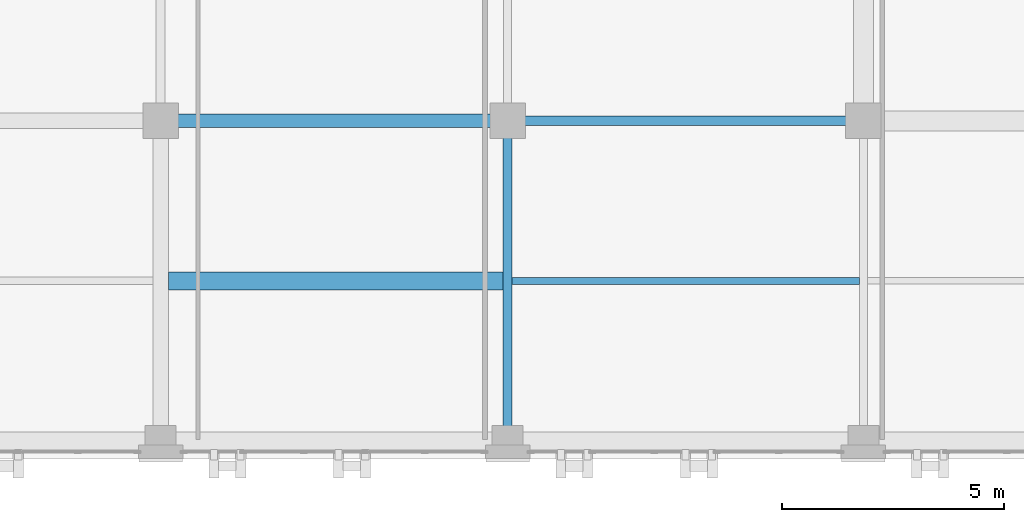
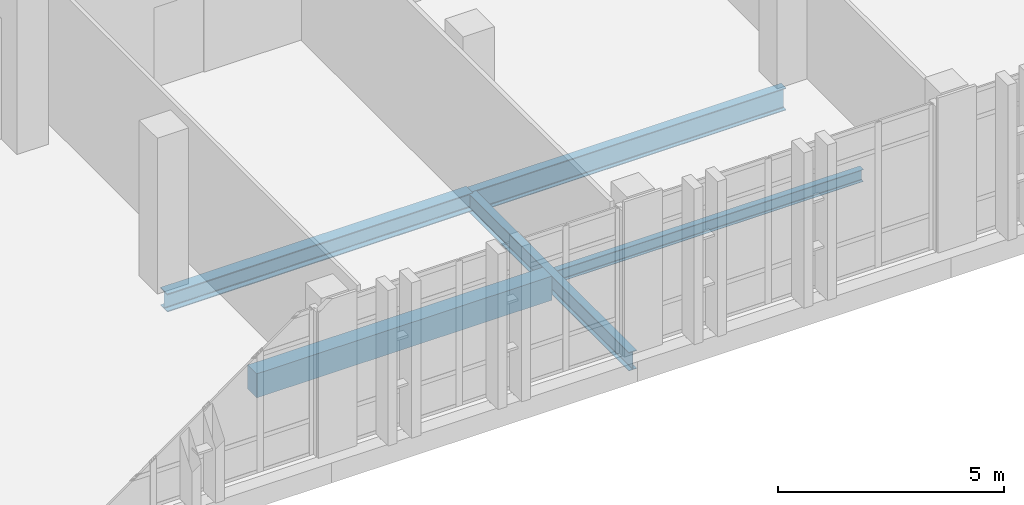
# One storey, part 119 of 193: 5 beams.
"""IFC4 building model written with IfcOpenShell, lengths in metres."""

from ifc_helpers import new_model, si_unit, direction, frame, origin, origin_2d, place, context, subcontext, project, spatial, rectangle, i_section, extrude, material, material_profile, profile_set, type_object, element, save


model = new_model("IFC4")

# Units and contexts
model_context = context("Model", 3, precision=1e-05, world=origin(), true_north=direction((0.0, 1.0)))
body_context = subcontext(model_context, "Body", "Model", "MODEL_VIEW")
ifc_project = project(units=[si_unit("LENGTHUNIT", "METRE"), si_unit("AREAUNIT", "SQUARE_METRE"), si_unit("VOLUMEUNIT", "CUBIC_METRE"), si_unit("PLANEANGLEUNIT", "RADIAN"), si_unit("MASSUNIT", "GRAM", prefix="KILO")], contexts=[model_context])

# Site, building, storey
site_placement = place(None, origin())
site = spatial("IfcSite", under=ifc_project, at=site_placement, CompositionType="ELEMENT")
building_placement = place(site_placement, origin())
building = spatial("IfcBuilding", under=site, at=building_placement, Name="Qalavern Law Courts", CompositionType="ELEMENT")
storey_placement = place(building_placement, frame((0.0, 0.0, 10.199951171875)))
storey = spatial("IfcBuildingStorey", under=building, at=storey_placement, Name="L02", CompositionType="ELEMENT", Elevation=10.199951171875)

# Beams
ifc_material_1 = material(Name="Steel S355", Category="steel")
ifc_material_profile_1 = material_profile(ifc_material_1, i_section(OverallWidth=0.300048828125, OverallDepth=0.489990234375, WebThickness=0.011962890625, FlangeThickness=0.02294921875, FilletRadius=0.027099609375, at=origin_2d()), Name="HEA 500")
ifc_profile_set_1 = profile_set([ifc_material_profile_1], Name="Steel S355")
beam_type_1 = type_object("IfcBeamType", Name="STR-BM-HEA500", PredefinedType="BEAM", material=ifc_profile_set_1)
beam_1_placement = place(storey_placement, frame((142.0, 8.60009765625, -0.534912109375), z_axis=(1.0, 0.0, 0.0), x_axis=(0.0, 1.0, 0.0)))
element("IfcBeam", 1, at=beam_1_placement, inside=storey, type_object=beam_type_1, Name="V6 X-beam 2-6 L02", PredefinedType="BEAM", context=body_context, shape_type="SweptSolid", body=[
    extrude(i_section(OverallWidth=0.300048828125, OverallDepth=0.489990234375, WebThickness=0.011962890625, FlangeThickness=0.02294921875, FilletRadius=0.027099609375, at=origin_2d()), origin(), (0.0, 0.0, 1.0), 7.800048828125),
])
ifc_material_profile_2 = material_profile(ifc_material_1, i_section(OverallWidth=0.199951171875, OverallDepth=0.5, WebThickness=0.01025390625, FlangeThickness=0.01611328125, FilletRadius=0.02099609375, at=origin_2d()), Name="IPE 500")
ifc_profile_set_2 = profile_set([ifc_material_profile_2], Name="Steel S355")
beam_type_2 = type_object("IfcBeamType", Name="STR-BM-IPE500", PredefinedType="BEAM", material=ifc_profile_set_2)
beam_2_placement = place(storey_placement, frame((149.800048828125, 1.39990234375, -0.5400390625), z_axis=(0.0, 1.0, 0.0), x_axis=(-1.0, 0.0, 0.0)))
element("IfcBeam", 2, at=beam_2_placement, inside=storey, type_object=beam_type_2, Name="V6 Y-beam 7-1 L02", PredefinedType="BEAM", context=body_context, shape_type="SweptSolid", body=[
    extrude(i_section(OverallWidth=0.199951171875, OverallDepth=0.5, WebThickness=0.01025390625, FlangeThickness=0.01611328125, FilletRadius=0.02099609375, at=origin_2d()), origin(), (0.0, 0.0, 1.0), 7.2001953125),
])
ifc_material_profile_3 = material_profile(ifc_material_1, i_section(OverallWidth=0.219970703125, OverallDepth=0.60009765625, WebThickness=0.011962890625, FlangeThickness=0.01904296875, FilletRadius=0.02392578125, at=origin_2d()), Name="IPE 600")
ifc_profile_set_3 = profile_set([ifc_material_profile_3], Name="Steel S355")
beam_type_3 = type_object("IfcBeamType", Name="STR-BM-IPE600", PredefinedType="BEAM", material=ifc_profile_set_3)
beam_3_placement = place(storey_placement, frame((149.800048828125, 8.60009765625, -0.58984375), z_axis=(1.0, 0.0, 0.0), x_axis=(0.0, 1.0, 0.0)))
element("IfcBeam", 3, at=beam_3_placement, inside=storey, type_object=beam_type_3, Name="V6 X-beam 2-7 L02", PredefinedType="BEAM", context=body_context, shape_type="SweptSolid", body=[
    extrude(i_section(OverallWidth=0.219970703125, OverallDepth=0.60009765625, WebThickness=0.011962890625, FlangeThickness=0.01904296875, FilletRadius=0.02392578125, at=origin_2d()), origin(), (0.0, 0.0, 1.0), 8.0),
])
ifc_material_profile_4 = material_profile(ifc_material_1, i_section(OverallWidth=0.159912109375, OverallDepth=0.330078125, WebThickness=0.007568359375, FlangeThickness=0.011474609375, FilletRadius=0.01806640625, at=origin_2d()), Name="IPE 330")
ifc_profile_set_4 = profile_set([ifc_material_profile_4], Name="Steel S355")
beam_type_4 = type_object("IfcBeamType", Name="STR-JST-IPE330", PredefinedType="JOIST", material=ifc_profile_set_4)
beam_4_placement = place(storey_placement, frame((149.89794921875, 5.0, -0.454833984375), z_axis=(1.0, 0.0, 0.0), x_axis=(0.0, 1.0, 0.0)))
element("IfcBeam", 4, at=beam_4_placement, inside=storey, type_object=beam_type_4, Name="V6 secondary joist 7.1.1 L02", PredefinedType="JOIST", context=body_context, shape_type="SweptSolid", body=[
    extrude(i_section(OverallWidth=0.159912109375, OverallDepth=0.330078125, WebThickness=0.007568359375, FlangeThickness=0.011474609375, FilletRadius=0.01806640625, at=origin_2d()), origin(), (0.0, 0.0, 1.0), 7.81396484375),
])
ifc_material_2 = material(Name="Concrete C35/45", Category="concrete")
ifc_material_profile_5 = material_profile(ifc_material_2, rectangle(XDim=0.39990234375, YDim=0.64990234375, at=origin_2d()), Name="RC 400x650")
ifc_profile_set_5 = profile_set([ifc_material_profile_5], Name="Concrete C35/45")
beam_type_5 = type_object("IfcBeamType", Name="STR-JST-RC400x650", PredefinedType="JOIST", material=ifc_profile_set_5)
beam_5_placement = place(storey_placement, frame((142.173095703125, 5.0, -0.614990234375), z_axis=(1.0, 0.0, 0.0), x_axis=(0.0, 1.0, 0.0)))
element("IfcBeam", 5, at=beam_5_placement, inside=storey, type_object=beam_type_5, Name="V6 secondary joist 6.1.1 L02", PredefinedType="JOIST", context=body_context, shape_type="SweptSolid", body=[
    extrude(rectangle(XDim=0.39990234375, YDim=0.64990234375, at=origin_2d()), origin(), (0.0, 0.0, 1.0), 7.52880859375),
])

save(model, "model.ifc")
